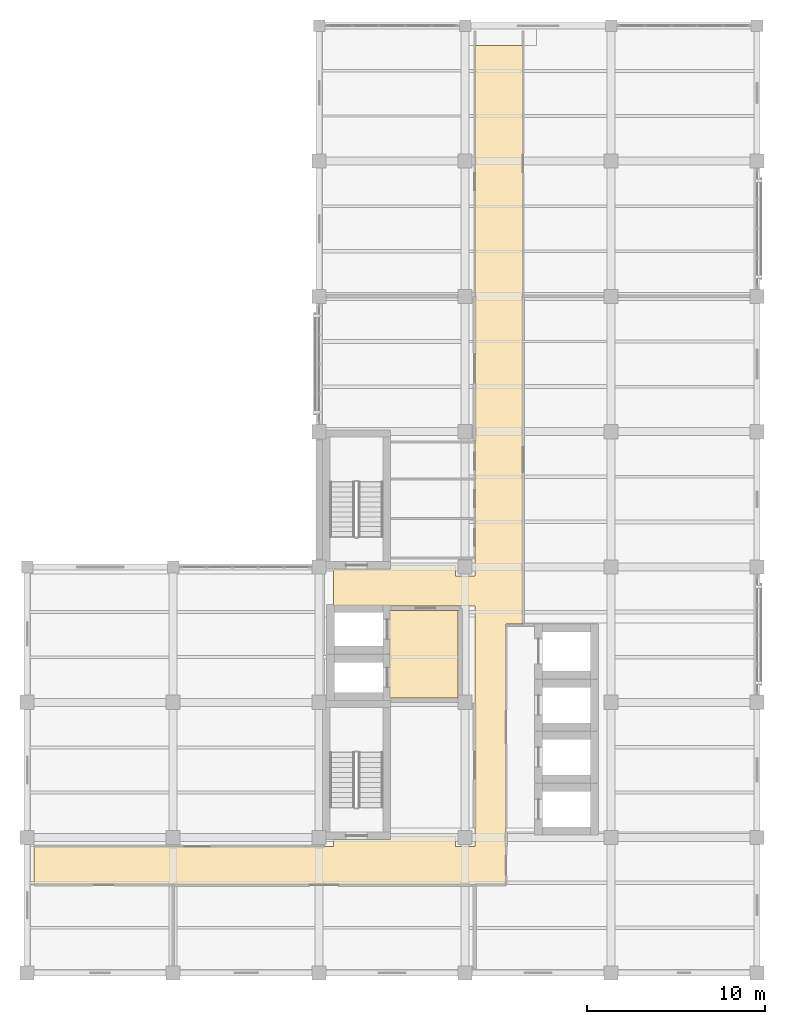
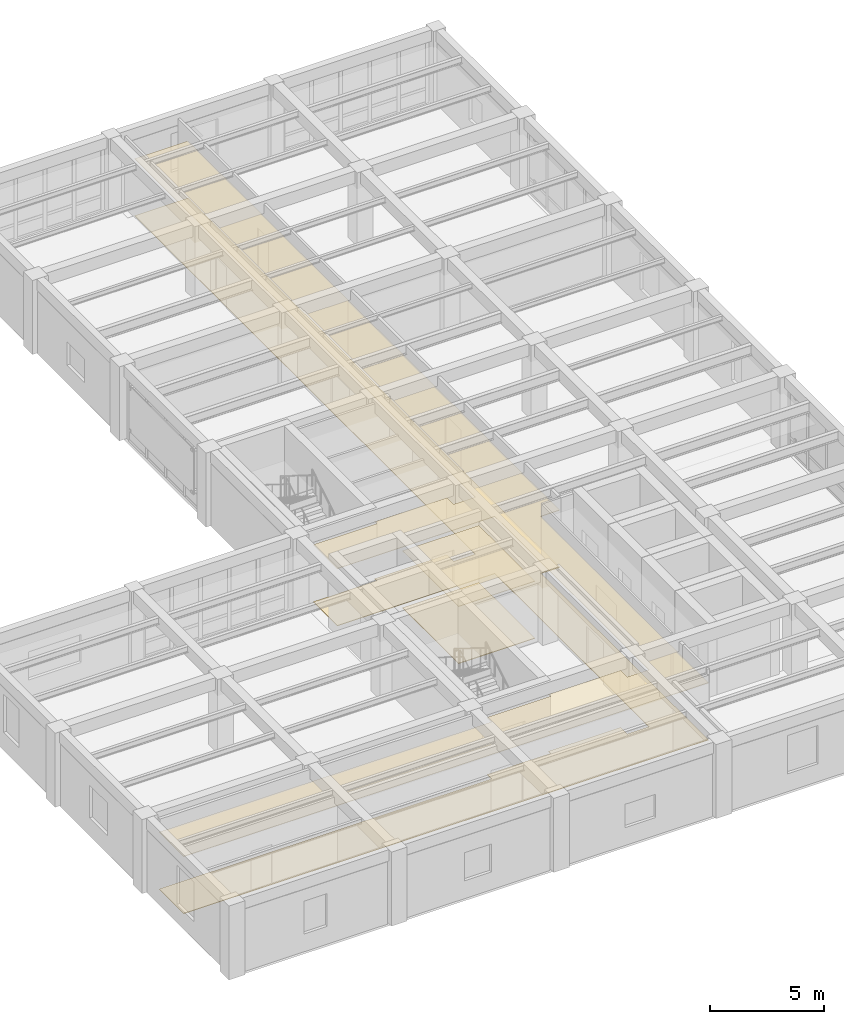
# One storey, part 11 of 13: 4 coverings.
"""IFC4 building model written with IfcOpenShell, lengths in metres."""

from ifc_helpers import new_model, si_unit, direction, frame, origin, place, context, subcontext, project, spatial, polyline, outline, extrude, material, layer, layer_set, type_object, element, save


model = new_model("IFC4")

# Units and contexts
model_context = context("Model", 3, precision=1e-05, world=origin(), true_north=direction((0.0, 1.0)))
body_context = subcontext(model_context, "Body", "Model", "MODEL_VIEW")
ifc_project = project(units=[si_unit("LENGTHUNIT", "METRE"), si_unit("AREAUNIT", "SQUARE_METRE"), si_unit("VOLUMEUNIT", "CUBIC_METRE"), si_unit("PLANEANGLEUNIT", "RADIAN"), si_unit("MASSUNIT", "GRAM", prefix="KILO")], contexts=[model_context])

# Site, building, storey
site_placement = place(None, origin())
site = spatial("IfcSite", under=ifc_project, at=site_placement, CompositionType="ELEMENT")
building_placement = place(site_placement, origin())
building = spatial("IfcBuilding", under=site, at=building_placement, Name="Qandaris Square Conservatory and Botanical Centre", CompositionType="ELEMENT")
storey_placement = place(building_placement, frame((0.0, 0.0, 45.0)))
storey = spatial("IfcBuildingStorey", under=building, at=storey_placement, Name="L10", CompositionType="ELEMENT", Elevation=45.0)

# Coverings
ifc_material_1 = material(Name="Honed Qatari Limestone", Category="masonry")
ifc_layer_1 = layer(ifc_material_1, 0.030029296875)
ifc_layer_set_1 = layer_set([ifc_layer_1], Name="Honed Qatari Limestone")
covering_type_1 = type_object("IfcCoveringType", Name="Honed Qatari Limestone Concourse Paving", PredefinedType="FLOORING", material=ifc_layer_set_1)
covering_1_placement = place(storey_placement, origin())
element("IfcCovering", 1, at=covering_1_placement, inside=storey, type_object=covering_type_1, Name="Firefighting Lift Lobby L10 Flooring", PredefinedType="FLOORING", context=body_context, shape_type="SweptSolid", body=[
    extrude(outline(polyline([(143.14990234375, 36.949951171875), (147.0, 36.949951171875), (147.0, 32.050048828125), (143.14990234375, 32.050048828125), (143.14990234375, 36.949951171875)])), origin(), (0.0, 0.0, 1.0), 0.030029296875),
])
covering_2_placement = place(storey_placement, origin())
element("IfcCovering", 2, at=covering_2_placement, inside=storey, type_object=covering_type_1, Name="Main Circulation Corridor L10 Flooring", PredefinedType="FLOORING", context=body_context, shape_type="SweptSolid", body=[
    extrude(outline(polyline([(140.0, 24.10009765625), (143.199951171875, 24.10009765625), (143.199951171875, 24.280029296875), (146.85009765625, 24.280029296875), (146.85009765625, 23.699951171875), (147.949951171875, 23.699951171875), (147.949951171875, 24.75), (147.949951171875, 31.75), (147.949951171875, 36.199951171875), (147.949951171875, 37.199951171875), (140.0, 37.199951171875), (140.0, 38.89990234375), (140.0, 39.300048828125), (143.199951171875, 39.300048828125), (143.199951171875, 39.47998046875), (146.85009765625, 39.47998046875), (146.85009765625, 38.89990234375), (147.949951171875, 38.89990234375), (147.949951171875, 39.89990234375), (147.949951171875, 42.1201171875), (147.949951171875, 44.340087890625), (147.949951171875, 46.419921875), (147.949951171875, 68.699951171875), (150.64990234375, 68.699951171875), (150.64990234375, 36.199951171875), (149.699951171875, 36.199951171875), (149.699951171875, 36.050048828125), (149.699951171875, 24.75), (149.699951171875, 23.699951171875), (149.699951171875, 21.550048828125), (147.949951171875, 21.550048828125), (123.199951171875, 21.550048828125), (123.199951171875, 23.699951171875), (140.0, 23.699951171875), (140.0, 24.10009765625)])), origin(), (0.0, 0.0, 1.0), 0.030029296875),
])
ifc_material_2 = material(Name="Gypsum Plasterboard", Category="gypsum")
ifc_layer_2 = layer(ifc_material_2, 0.02490234375)
ifc_layer_set_2 = layer_set([ifc_layer_2], Name="Gypsum Plasterboard")
covering_type_2 = type_object("IfcCoveringType", Name="Perforated Acoustic Lab Ceiling Tile", PredefinedType="CEILING", material=ifc_layer_set_2)
covering_3_placement = place(storey_placement, frame((0.0, 0.0, 3.050048828125)))
element("IfcCovering", 3, at=covering_3_placement, inside=storey, type_object=covering_type_2, Name="Firefighting Lift Lobby L10 Ceiling", PredefinedType="CEILING", context=body_context, shape_type="SweptSolid", body=[
    extrude(outline(polyline([(143.14990234375, 36.949951171875), (147.0, 36.949951171875), (147.0, 32.050048828125), (143.14990234375, 32.050048828125), (143.14990234375, 36.949951171875)])), origin(), (0.0, 0.0, 1.0), 0.02490234375),
])
covering_4_placement = place(storey_placement, frame((0.0, 0.0, 3.050048828125)))
element("IfcCovering", 4, at=covering_4_placement, inside=storey, type_object=covering_type_2, Name="Main Circulation Corridor L10 Ceiling", PredefinedType="CEILING", context=body_context, shape_type="SweptSolid", body=[
    extrude(outline(polyline([(140.0, 24.10009765625), (143.199951171875, 24.10009765625), (143.199951171875, 24.280029296875), (146.85009765625, 24.280029296875), (146.85009765625, 23.699951171875), (147.949951171875, 23.699951171875), (147.949951171875, 24.75), (147.949951171875, 31.75), (147.949951171875, 36.199951171875), (147.949951171875, 37.199951171875), (140.0, 37.199951171875), (140.0, 38.89990234375), (140.0, 39.300048828125), (143.199951171875, 39.300048828125), (143.199951171875, 39.47998046875), (146.85009765625, 39.47998046875), (146.85009765625, 38.89990234375), (147.949951171875, 38.89990234375), (147.949951171875, 39.89990234375), (147.949951171875, 42.1201171875), (147.949951171875, 44.340087890625), (147.949951171875, 46.419921875), (147.949951171875, 68.699951171875), (150.64990234375, 68.699951171875), (150.64990234375, 36.199951171875), (149.699951171875, 36.199951171875), (149.699951171875, 36.050048828125), (149.699951171875, 24.75), (149.699951171875, 23.699951171875), (149.699951171875, 21.550048828125), (147.949951171875, 21.550048828125), (123.199951171875, 21.550048828125), (123.199951171875, 23.699951171875), (140.0, 23.699951171875), (140.0, 24.10009765625)])), origin(), (0.0, 0.0, 1.0), 0.02490234375),
])

save(model, "model.ifc")
